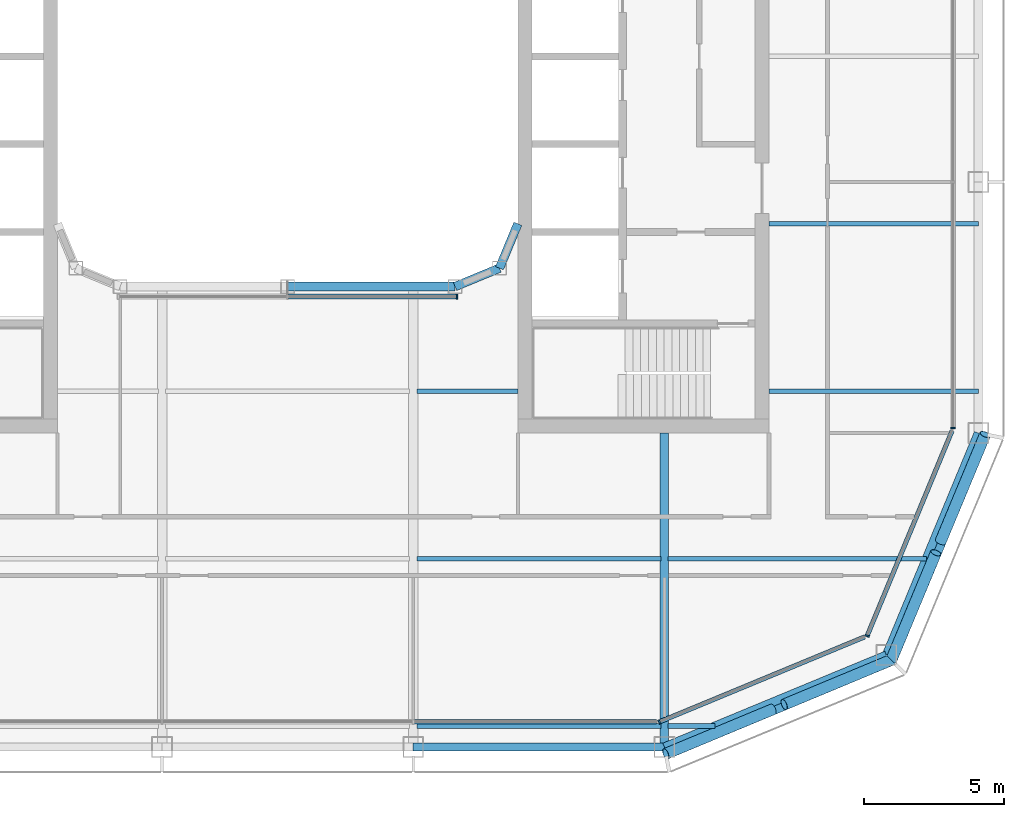
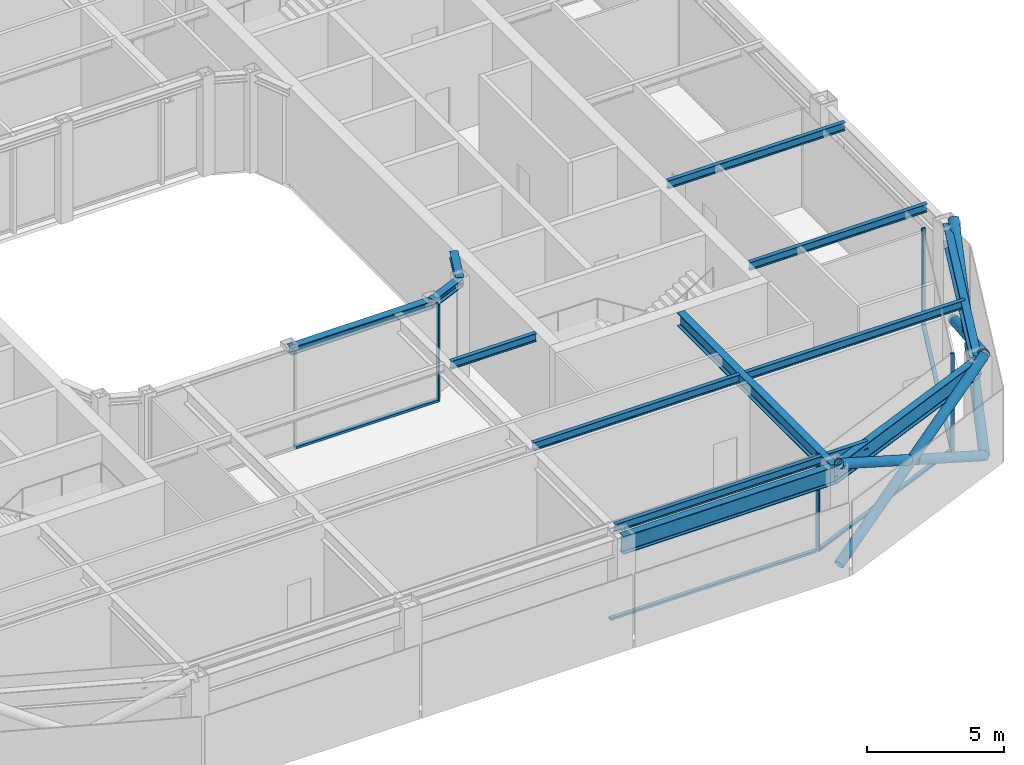
# One storey, part 4 of 21: 14 beams, 14 members, 5 elements without a shape of their own.
"""IFC4 building model written with IfcOpenShell, lengths in metres."""

from ifc_helpers import new_model, si_unit, direction, frame, origin, origin_2d, place, context, subcontext, project, spatial, rectangle, hollow_circle, i_section, extrude, material, layer, layer_set, material_profile, profile_set, type_object, element, aggregate, save


model = new_model("IFC4")

# Units and contexts
model_context = context("Model", 3, precision=1e-05, world=origin(), true_north=direction((0.0, 1.0)))
body_context = subcontext(model_context, "Body", "Model", "MODEL_VIEW")
ifc_project = project(units=[si_unit("LENGTHUNIT", "METRE"), si_unit("AREAUNIT", "SQUARE_METRE"), si_unit("VOLUMEUNIT", "CUBIC_METRE"), si_unit("PLANEANGLEUNIT", "RADIAN"), si_unit("MASSUNIT", "GRAM", prefix="KILO")], contexts=[model_context])

# Site, building, storey
site_placement = place(None, origin())
site = spatial("IfcSite", under=ifc_project, at=site_placement, CompositionType="ELEMENT")
building_placement = place(site_placement, origin())
building = spatial("IfcBuilding", under=site, at=building_placement, Name="Siwar Civic Tower", CompositionType="ELEMENT")
storey_placement = place(building_placement, frame((0.0, 0.0, 294.199951171875)))
storey = spatial("IfcBuildingStorey", under=building, at=storey_placement, Name="L63", CompositionType="ELEMENT", Elevation=294.199951171875)

# Curtain wall, member
ifc_material_1 = material(Name="Aluminium clad insulated panel", Category="aluminium")
ifc_layer_1 = layer(ifc_material_1, 0.159912109375)
ifc_layer_set_1 = layer_set([ifc_layer_1], Name="Aluminium clad insulated panel")
curtain_wall_type_1 = type_object("IfcCurtainWallType", Name="ENV-CW-DX", PredefinedType="NOTDEFINED", material=ifc_layer_set_1)
curtain_wall_1_placement = place(storey_placement, origin())
curtain_wall_1 = element("IfcCurtainWall", 1, at=curtain_wall_1_placement, inside=storey, type_object=curtain_wall_type_1, Name="Curtain wall D SE1", PredefinedType="NOTDEFINED")
ifc_material_2 = material(Name="Aluminium 6063-T6", Category="aluminium")
ifc_material_profile_1 = material_profile(ifc_material_2, rectangle(XDim=0.159912109375, YDim=0.06005859375, at=origin_2d()), Name="AL 160x60")
ifc_profile_set_1 = profile_set([ifc_material_profile_1], Name="Aluminium 6063-T6")
member_type_1 = type_object("IfcMemberType", Name="ENV-MULLION-D", PredefinedType="MULLION", material=ifc_profile_set_1)
member_1_placement = place(storey_placement, frame((13.321044921875, -23.85009765625, 0.0), z_axis=(0.0, 0.0, 1.0), x_axis=(-0.382683432365, 0.923879532511, 0.0)))
member_1 = element("IfcMember", 2, at=member_1_placement, type_object=member_type_1, Name="Mullion D SE1 1", PredefinedType="MULLION", context=body_context, shape_type="SweptSolid", body=[
    extrude(rectangle(XDim=0.159912109375, YDim=0.06005859375, at=origin_2d()), origin(), (0.0, 0.0, 1.0), 4.35009765625),
])

curtain_wall_2_placement = place(storey_placement, origin())
curtain_wall_2 = element("IfcCurtainWall", 3, at=curtain_wall_2_placement, inside=storey, type_object=curtain_wall_type_1, Name="Curtain wall D SE2", PredefinedType="NOTDEFINED")
member_2_placement = place(storey_placement, frame((20.76611328125, -20.76611328125, 0.0), z_axis=(0.0, 0.0, 1.0), x_axis=(-0.923879532511, 0.382683432365, 0.0)))
member_2 = element("IfcMember", 4, at=member_2_placement, type_object=member_type_1, Name="Mullion D SE2 1", PredefinedType="MULLION", context=body_context, shape_type="SweptSolid", body=[
    extrude(rectangle(XDim=0.159912109375, YDim=0.06005859375, at=origin_2d()), origin(), (0.0, 0.0, 1.0), 4.35009765625),
])

ifc_material_3 = material(Name="Aluminium and glass", Category="aluminium")
ifc_layer_2 = layer(ifc_material_3, 0.159912109375)
ifc_layer_set_2 = layer_set([ifc_layer_2], Name="Aluminium and glass")
curtain_wall_type_2 = type_object("IfcCurtainWallType", Name="ENV-CW-D", PredefinedType="NOTDEFINED", material=ifc_layer_set_2)
curtain_wall_3_placement = place(storey_placement, origin())
curtain_wall_3 = element("IfcCurtainWall", 5, at=curtain_wall_3_placement, inside=storey, type_object=curtain_wall_type_2, Name="Curtain wall D E", PredefinedType="NOTDEFINED")
member_3_placement = place(storey_placement, frame((23.85009765625, -13.321044921875, 0.0), z_axis=(0.0, 0.0, 1.0), x_axis=(-1.0, 0.0, 0.0)))
member_3 = element("IfcMember", 6, at=member_3_placement, type_object=member_type_1, Name="Mullion D E 1", PredefinedType="MULLION", context=body_context, shape_type="SweptSolid", body=[
    extrude(rectangle(XDim=0.159912109375, YDim=0.06005859375, at=origin_2d()), origin(), (0.0, 0.0, 1.0), 4.35009765625),
])
aggregate(curtain_wall_3, [member_3])

ifc_material_4 = material(Name="Aluminium and glass", Category="aluminium")
ifc_layer_3 = layer(ifc_material_4, 0.179931640625)
ifc_layer_set_3 = layer_set([ifc_layer_3], Name="Aluminium and glass")
curtain_wall_type_3 = type_object("IfcCurtainWallType", Name="ENV-CW-W", PredefinedType="NOTDEFINED", material=ifc_layer_set_3)
curtain_wall_4_placement = place(storey_placement, origin())
curtain_wall_4 = element("IfcCurtainWall", 7, at=curtain_wall_4_placement, inside=storey, type_object=curtain_wall_type_3, Name="Curtain wall W WS", PredefinedType="NOTDEFINED")
ifc_material_5 = material(Name="Aluminium 6063-T6", Category="aluminium")
ifc_material_profile_2 = material_profile(ifc_material_5, rectangle(XDim=0.179931640625, YDim=0.06005859375, at=origin_2d()), Name="AL 180x60")
ifc_profile_set_2 = profile_set([ifc_material_profile_2], Name="Aluminium 6063-T6")
member_type_2 = type_object("IfcMemberType", Name="ENV-MULLION-W", PredefinedType="MULLION", material=ifc_profile_set_2)
member_4_placement = place(storey_placement, frame((6.071533203125, -8.610107421875, 0.0), z_axis=(0.0, 0.0, 1.0), x_axis=(0.0, 1.0, 0.0)))
member_4 = element("IfcMember", 8, at=member_4_placement, type_object=member_type_2, Name="Mullion W WS 3", PredefinedType="MULLION", context=body_context, shape_type="SweptSolid", body=[
    extrude(rectangle(XDim=0.179931640625, YDim=0.06005859375, at=origin_2d()), origin(), (0.0, 0.0, 1.0), 4.35009765625),
])

curtain_wall_5_placement = place(storey_placement, origin())
curtain_wall_5 = element("IfcCurtainWall", 9, at=curtain_wall_5_placement, inside=storey, type_object=curtain_wall_type_2, Name="Curtain wall D S", PredefinedType="NOTDEFINED")
ifc_material_6 = material(Name="Aluminium 6063-T6", Category="aluminium")
ifc_material_profile_3 = material_profile(ifc_material_6, rectangle(XDim=0.159912109375, YDim=0.10009765625, at=origin_2d()), Name="AL 160x100")
ifc_profile_set_3 = profile_set([ifc_material_profile_3], Name="Aluminium 6063-T6")
member_type_3 = type_object("IfcMemberType", Name="ENV-TRANSOM-D", PredefinedType="USERDEFINED", material=ifc_profile_set_3)
member_5_placement = place(storey_placement, frame((4.530029296875, -23.85009765625, 0.050048828125), z_axis=(1.0, 0.0, 0.0), x_axis=(0.0, 1.0, 0.0)))
member_5 = element("IfcMember", 10, at=member_5_placement, type_object=member_type_3, Name="Transom D S 3", ObjectType="TRANSOM", PredefinedType="USERDEFINED", context=body_context, shape_type="SweptSolid", body=[
    extrude(rectangle(XDim=0.159912109375, YDim=0.10009765625, at=origin_2d()), origin(), (0.0, 0.0, 1.0), 8.693115234375),
])
aggregate(curtain_wall_5, [member_5])

# Member
member_6_placement = place(storey_placement, frame((13.3486328125, -23.838623046875, 0.050048828125), z_axis=(0.923872756612, 0.382699790424, 0.0), x_axis=(-0.382699790424, 0.923872756612, 0.0)))
member_6 = element("IfcMember", 11, at=member_6_placement, type_object=member_type_3, Name="Transom D SE1 1", ObjectType="TRANSOM", PredefinedType="USERDEFINED", context=body_context, shape_type="SweptSolid", body=[
    extrude(rectangle(XDim=0.159912109375, YDim=0.10009765625, at=origin_2d()), origin(), (0.0, 0.0, 1.0), 7.930908203125),
])

aggregate(curtain_wall_1, [member_1, member_6])

member_7_placement = place(storey_placement, frame((20.777587890625, -20.738525390625, 0.050048828125), z_axis=(0.382673515031, 0.923883640343, 0.0), x_axis=(-0.923883640343, 0.382673515031, 0.0)))
member_7 = element("IfcMember", 12, at=member_7_placement, type_object=member_type_3, Name="Transom D SE2 1", ObjectType="TRANSOM", PredefinedType="USERDEFINED", context=body_context, shape_type="SweptSolid", body=[
    extrude(rectangle(XDim=0.159912109375, YDim=0.10009765625, at=origin_2d()), origin(), (0.0, 0.0, 1.0), 7.930908203125),
])

aggregate(curtain_wall_2, [member_2, member_7])

ifc_material_7 = material(Name="Aluminium 6063-T6", Category="aluminium")
ifc_material_profile_4 = material_profile(ifc_material_7, rectangle(XDim=0.179931640625, YDim=0.10009765625, at=origin_2d()), Name="AL 180x100")
ifc_profile_set_4 = profile_set([ifc_material_profile_4], Name="Aluminium 6063-T6")
member_type_4 = type_object("IfcMemberType", Name="ENV-TRANSOM-W", PredefinedType="USERDEFINED", material=ifc_profile_set_4)
member_8_placement = place(storey_placement, frame((0.030029296875, -8.610107421875, 0.050048828125), z_axis=(1.0, 0.0, 0.0), x_axis=(0.0, 1.0, 0.0)))
member_8 = element("IfcMember", 13, at=member_8_placement, type_object=member_type_4, Name="Transom W WS 2", ObjectType="TRANSOM", PredefinedType="USERDEFINED", context=body_context, shape_type="SweptSolid", body=[
    extrude(rectangle(XDim=0.179931640625, YDim=0.10009765625, at=origin_2d()), origin(), (0.0, 0.0, 1.0), 6.011474609375),
])

aggregate(curtain_wall_4, [member_4, member_8])

# Members
ifc_material_8 = material(Name="Steel S355", Category="steel")
ifc_material_profile_5 = material_profile(ifc_material_8, hollow_circle(Radius=0.203125, WallThickness=0.01611328125, at=origin_2d()), Name="CHS406.4x16")
ifc_profile_set_5 = profile_set([ifc_material_profile_5], Name="Steel S355")
member_type_5 = type_object("IfcMemberType", Name="STR-BR-CHS406.4x16", PredefinedType="BRACE", material=ifc_profile_set_5)
member_9_placement = place(storey_placement, frame((24.9951171875, -13.548828125, 0.0), z_axis=(-0.341671493852, -0.821142553604, 0.457149315816), x_axis=(0.923264922524, -0.384163874976, 0.0)))
element("IfcMember", 14, at=member_9_placement, inside=storey, type_object=member_type_5, Name="L63/brc/DSE1-2-0-1", PredefinedType="BRACE", context=body_context, shape_type="SweptSolid", body=[
    extrude(hollow_circle(Radius=0.203125, WallThickness=0.01611328125, at=origin_2d()), origin(), (0.0, 0.0, 1.0), 9.843505859375),
])
member_10_placement = place(storey_placement, frame((21.6318359375, -21.6318359375, 0.0), z_axis=(0.341644380467, 0.821147096886, 0.457161418507), x_axis=(-0.923276488787, 0.38413607648, 0.0)))
element("IfcMember", 15, at=member_10_placement, inside=storey, type_object=member_type_5, Name="L63/brc/DSE1-2-0-2", PredefinedType="BRACE", context=body_context, shape_type="SweptSolid", body=[
    extrude(hollow_circle(Radius=0.203125, WallThickness=0.01611328125, at=origin_2d()), origin(), (0.0, 0.0, 1.0), 4.677001953125),
])
member_11_placement = place(storey_placement, frame((23.397216796875, -17.38916015625, 2.362060546875), z_axis=(0.341667178655, 0.821149689876, 0.457139722456), x_axis=(-0.923267827529, 0.384156893273, 0.0)))
element("IfcMember", 16, at=member_11_placement, inside=storey, type_object=member_type_5, Name="L63/brc/DSE1-2-0-3", PredefinedType="BRACE", context=body_context, shape_type="SweptSolid", body=[
    extrude(hollow_circle(Radius=0.203125, WallThickness=0.01611328125, at=origin_2d()), origin(), (0.0, 0.0, 1.0), 4.6767578125),
])
member_12_placement = place(storey_placement, frame((13.548828125, -24.9951171875, 0.0), z_axis=(0.821142553604, 0.341671493852, 0.457149315816), x_axis=(-0.384163874976, 0.923264922524, 0.0)))
element("IfcMember", 17, at=member_12_placement, inside=storey, type_object=member_type_5, Name="L63/brc/DSE1-2-0-0", PredefinedType="BRACE", context=body_context, shape_type="SweptSolid", body=[
    extrude(hollow_circle(Radius=0.203125, WallThickness=0.01611328125, at=origin_2d()), origin(), (0.0, 0.0, 1.0), 9.843505859375),
])
member_13_placement = place(storey_placement, frame((21.6318359375, -21.6318359375, 0.0), z_axis=(-0.821147096886, -0.341644380467, 0.457161418507), x_axis=(0.38413607648, -0.923276488787, 0.0)))
element("IfcMember", 18, at=member_13_placement, inside=storey, type_object=member_type_5, Name="L63/brc/DSE1-2-0-4", PredefinedType="BRACE", context=body_context, shape_type="SweptSolid", body=[
    extrude(hollow_circle(Radius=0.203125, WallThickness=0.01611328125, at=origin_2d()), origin(), (0.0, 0.0, 1.0), 4.677001953125),
])
member_14_placement = place(storey_placement, frame((17.38916015625, -23.397216796875, 2.362060546875), z_axis=(-0.821149689876, -0.341667178655, 0.457139722456), x_axis=(0.384156893273, -0.923267827529, 0.0)))
element("IfcMember", 19, at=member_14_placement, inside=storey, type_object=member_type_5, Name="L63/brc/DSE1-2-0-5", PredefinedType="BRACE", context=body_context, shape_type="SweptSolid", body=[
    extrude(hollow_circle(Radius=0.203125, WallThickness=0.01611328125, at=origin_2d()), origin(), (0.0, 0.0, 1.0), 4.6767578125),
])

# Beams
ifc_material_9 = material(Name="Steel S355", Category="steel")
ifc_material_profile_6 = material_profile(ifc_material_9, i_section(OverallWidth=0.169921875, OverallDepth=0.360107421875, WebThickness=0.008056640625, FlangeThickness=0.0126953125, FilletRadius=0.01806640625, at=origin_2d()), Name="IPE360")
ifc_profile_set_6 = profile_set([ifc_material_profile_6], Name="Steel S355")
beam_type_1 = type_object("IfcBeamType", Name="STR-FB-IPE360", PredefinedType="JOIST", material=ifc_profile_set_6)
beam_1_placement = place(storey_placement, frame((4.6298828125, -24.0, 4.170166015625), z_axis=(1.0, 0.0, 0.0), x_axis=(0.0, 1.0, 0.0)))
element("IfcBeam", 20, at=beam_1_placement, inside=storey, type_object=beam_type_1, Name="L63/bm/F004", PredefinedType="JOIST", context=body_context, shape_type="SweptSolid", body=[
    extrude(i_section(OverallWidth=0.169921875, OverallDepth=0.360107421875, WebThickness=0.008056640625, FlangeThickness=0.0126953125, FilletRadius=0.01806640625, at=origin_2d()), origin(), (0.0, 0.0, 1.0), 8.740234375),
])
beam_2_placement = place(storey_placement, frame((13.6298828125, -24.0, 4.170166015625), z_axis=(1.0, 0.0, 0.0), x_axis=(0.0, 1.0, 0.0)))
element("IfcBeam", 21, at=beam_2_placement, inside=storey, type_object=beam_type_1, Name="L63/bm/F005", PredefinedType="JOIST", context=body_context, shape_type="SweptSolid", body=[
    extrude(i_section(OverallWidth=0.169921875, OverallDepth=0.360107421875, WebThickness=0.008056640625, FlangeThickness=0.0126953125, FilletRadius=0.01806640625, at=origin_2d()), origin(), (0.0, 0.0, 1.0), 1.6806640625),
])
beam_3_placement = place(storey_placement, frame((4.6298828125, -18.0, 4.170166015625), z_axis=(1.0, 0.0, 0.0), x_axis=(0.0, 1.0, 0.0)))
element("IfcBeam", 22, at=beam_3_placement, inside=storey, type_object=beam_type_1, Name="L63/bm/F009", PredefinedType="JOIST", context=body_context, shape_type="SweptSolid", body=[
    extrude(i_section(OverallWidth=0.169921875, OverallDepth=0.360107421875, WebThickness=0.008056640625, FlangeThickness=0.0126953125, FilletRadius=0.01806640625, at=origin_2d()), origin(), (0.0, 0.0, 1.0), 8.740234375),
])
beam_4_placement = place(storey_placement, frame((13.6298828125, -18.0, 4.170166015625), z_axis=(1.0, 0.0, 0.0), x_axis=(0.0, 1.0, 0.0)))
element("IfcBeam", 23, at=beam_4_placement, inside=storey, type_object=beam_type_1, Name="L63/bm/F010", PredefinedType="JOIST", context=body_context, shape_type="SweptSolid", body=[
    extrude(i_section(OverallWidth=0.169921875, OverallDepth=0.360107421875, WebThickness=0.008056640625, FlangeThickness=0.0126953125, FilletRadius=0.01806640625, at=origin_2d()), origin(), (0.0, 0.0, 1.0), 9.256103515625),
])
beam_5_placement = place(storey_placement, frame((4.6298828125, -12.0, 4.170166015625), z_axis=(1.0, 0.0, 0.0), x_axis=(0.0, 1.0, 0.0)))
element("IfcBeam", 24, at=beam_5_placement, inside=storey, type_object=beam_type_1, Name="L63/bm/F014", PredefinedType="JOIST", context=body_context, shape_type="SweptSolid", body=[
    extrude(i_section(OverallWidth=0.169921875, OverallDepth=0.360107421875, WebThickness=0.008056640625, FlangeThickness=0.0126953125, FilletRadius=0.01806640625, at=origin_2d()), origin(), (0.0, 0.0, 1.0), 3.6201171875),
])
for number, where, z_axis, x_axis, name in (
    (25, (17.25, -12.0, 4.170166015625), (1.0, 0.0, 0.0), (0.0, 1.0, 0.0), "L63/bm/F015"),
    (26, (17.25, -6.0, 4.170166015625), (1.0, 0.0, 0.0), (0.0, 1.0, 0.0), "L63/bm/F017"),
):
    element("IfcBeam", number, at=place(storey_placement, frame(where, z_axis=z_axis, x_axis=x_axis)), inside=storey, type_object=beam_type_1, Name=name, PredefinedType="JOIST", context=body_context, shape_type="SweptSolid", body=[
        extrude(i_section(OverallWidth=0.169921875, OverallDepth=0.360107421875, WebThickness=0.008056640625, FlangeThickness=0.0126953125, FilletRadius=0.01806640625, at=origin_2d()), origin(), (0.0, 0.0, 1.0), 7.5),
    ])
ifc_material_10 = material(Name="Steel S355", Category="steel")
ifc_material_profile_7 = material_profile(ifc_material_10, i_section(OverallWidth=0.300048828125, OverallDepth=0.60009765625, WebThickness=0.015380859375, FlangeThickness=0.030029296875, FilletRadius=0.027099609375, at=origin_2d()), Name="HEB600")
ifc_profile_set_7 = profile_set([ifc_material_profile_7], Name="Steel S355")
beam_type_2 = type_object("IfcBeamType", Name="STR-PG-HEB600", PredefinedType="BEAM", material=ifc_profile_set_7)
beam_6_placement = place(storey_placement, frame((13.5, -24.75, 4.050048828125), z_axis=(0.0, 1.0, 0.0), x_axis=(-1.0, 0.0, 0.0)))
element("IfcBeam", 27, at=beam_6_placement, inside=storey, type_object=beam_type_2, Name="L63/bm/G07", PredefinedType="BEAM", context=body_context, shape_type="SweptSolid", body=[
    extrude(i_section(OverallWidth=0.300048828125, OverallDepth=0.60009765625, WebThickness=0.015380859375, FlangeThickness=0.030029296875, FilletRadius=0.027099609375, at=origin_2d()), origin(), (0.0, 0.0, 1.0), 11.25),
])
ifc_material_11 = material(Name="Steel S355", Category="steel")
ifc_material_profile_8 = material_profile(ifc_material_11, i_section(OverallWidth=0.31005859375, OverallDepth=0.340087890625, WebThickness=0.02099609375, FlangeThickness=0.0390625, FilletRadius=0.027099609375, at=origin_2d()), Name="HEM300")
ifc_profile_set_8 = profile_set([ifc_material_profile_8], Name="Steel S355")
beam_type_3 = type_object("IfcBeamType", Name="STR-RB-HEM300", PredefinedType="BEAM", material=ifc_profile_set_8)
beam_7_placement = place(storey_placement, frame((0.0, -8.25, 4.179931640625), z_axis=(1.0, 0.0, 0.0), x_axis=(0.0, 1.0, 0.0)))
element("IfcBeam", 28, at=beam_7_placement, inside=storey, type_object=beam_type_3, Name="L63/bm/RS2", PredefinedType="BEAM", context=body_context, shape_type="SweptSolid", body=[
    extrude(i_section(OverallWidth=0.31005859375, OverallDepth=0.340087890625, WebThickness=0.02099609375, FlangeThickness=0.0390625, FilletRadius=0.027099609375, at=origin_2d()), origin(), (0.0, 0.0, 1.0), 6.0),
])
for number, where, z_axis, x_axis, name in (
    (29, (6.0, -8.25, 4.179931640625), (0.923901072997, 0.382631424892, 0.0), (-0.382631424892, 0.923901072997, 0.0), "L63/bm/RS3"),
    (30, (7.591064453125, -7.591064453125, 4.179931640625), (0.382631424892, 0.923901072997, 0.0), (-0.923901072997, 0.382631424892, 0.0), "L63/bm/RSEE"),
):
    element("IfcBeam", number, at=place(storey_placement, frame(where, z_axis=z_axis, x_axis=x_axis)), inside=storey, type_object=beam_type_3, Name=name, PredefinedType="BEAM", context=body_context, shape_type="SweptSolid", body=[
        extrude(i_section(OverallWidth=0.31005859375, OverallDepth=0.340087890625, WebThickness=0.02099609375, FlangeThickness=0.0390625, FilletRadius=0.027099609375, at=origin_2d()), origin(), (0.0, 0.0, 1.0), 1.72216796875),
    ])
ifc_material_12 = material(Name="Steel S355", Category="steel")
ifc_material_profile_9 = material_profile(ifc_material_12, i_section(OverallWidth=0.300048828125, OverallDepth=0.800048828125, WebThickness=0.017578125, FlangeThickness=0.032958984375, FilletRadius=0.030029296875, at=origin_2d()), Name="HEB800")
ifc_profile_set_9 = profile_set([ifc_material_profile_9], Name="Steel S355")
beam_type_4 = type_object("IfcBeamType", Name="STR-SB-HEB800", PredefinedType="BEAM", material=ifc_profile_set_9)
beam_8_placement = place(storey_placement, frame((4.5, -24.75, 3.949951171875), z_axis=(1.0, 0.0, 0.0), x_axis=(0.0, 1.0, 0.0)))
element("IfcBeam", 31, at=beam_8_placement, inside=storey, type_object=beam_type_4, Name="L63/bm/SS-2", PredefinedType="BEAM", context=body_context, shape_type="SweptSolid", body=[
    extrude(i_section(OverallWidth=0.300048828125, OverallDepth=0.800048828125, WebThickness=0.017578125, FlangeThickness=0.032958984375, FilletRadius=0.030029296875, at=origin_2d()), origin(), (0.0, 0.0, 1.0), 9.0),
])
for number, where, z_axis, x_axis, name in (
    (32, (13.5, -24.75, 3.949951171875), (0.923872720536, 0.382699877515, 0.0), (-0.382699877515, 0.923872720536, 0.0), "L63/bm/SSE1-0"),
    (33, (21.454833984375, -21.454833984375, 3.949951171875), (0.382699877515, 0.923872720536, 0.0), (-0.923872720536, 0.382699877515, 0.0), "L63/bm/SSE2-0"),
):
    element("IfcBeam", number, at=place(storey_placement, frame(where, z_axis=z_axis, x_axis=x_axis)), inside=storey, type_object=beam_type_4, Name=name, PredefinedType="BEAM", context=body_context, shape_type="SweptSolid", body=[
        extrude(i_section(OverallWidth=0.300048828125, OverallDepth=0.800048828125, WebThickness=0.017578125, FlangeThickness=0.032958984375, FilletRadius=0.030029296875, at=origin_2d()), origin(), (0.0, 0.0, 1.0), 8.6103515625),
    ])

save(model, "model.ifc")
